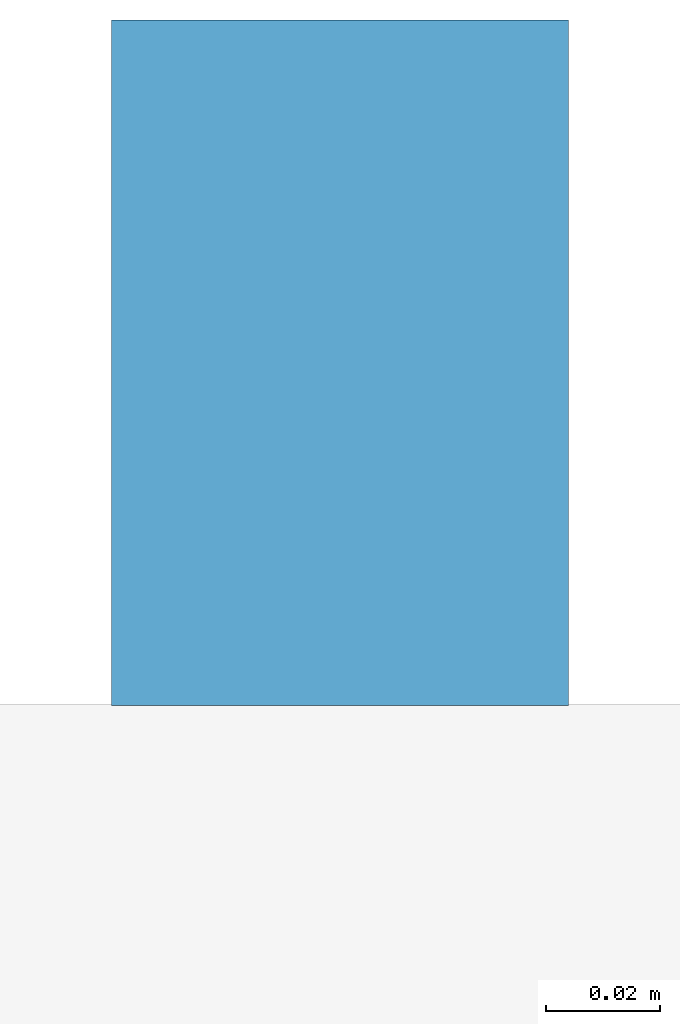
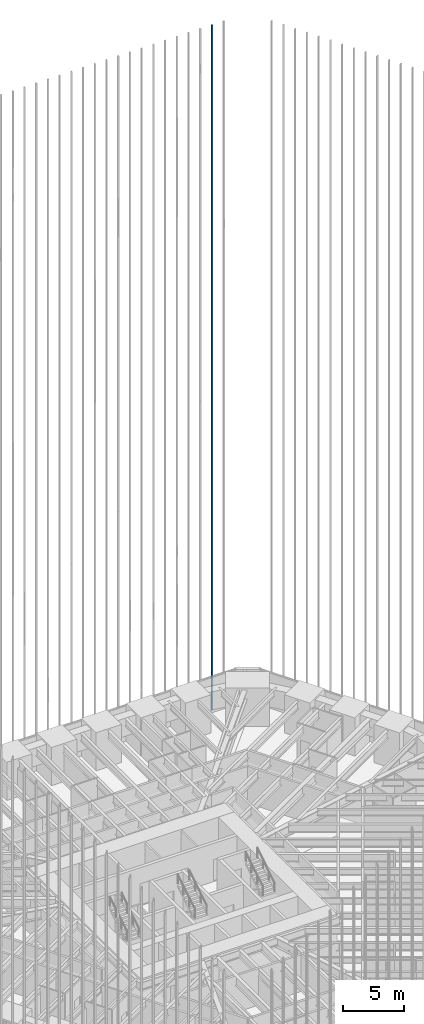
# One storey, part 245 of 256: 1 member, 1 element without a shape of its own.
"""IFC4 building model written with IfcOpenShell, lengths in metres."""

from ifc_helpers import new_model, si_unit, direction, frame, origin, origin_2d, place, context, subcontext, project, spatial, rectangle, extrude, material, material_profile, profile_set, type_object, element, aggregate, save


model = new_model("IFC4")

# Units and contexts
model_context = context("Model", 3, precision=1e-05, world=origin(), true_north=direction((0.0, 1.0)))
body_context = subcontext(model_context, "Body", "Model", "MODEL_VIEW")
ifc_project = project(units=[si_unit("LENGTHUNIT", "METRE"), si_unit("AREAUNIT", "SQUARE_METRE"), si_unit("VOLUMEUNIT", "CUBIC_METRE"), si_unit("PLANEANGLEUNIT", "RADIAN"), si_unit("MASSUNIT", "GRAM", prefix="KILO")], contexts=[model_context])

# Site, building, storey
site_placement = place(None, origin())
site = spatial("IfcSite", under=ifc_project, at=site_placement, CompositionType="ELEMENT")
building_placement = place(site_placement, origin())
building = spatial("IfcBuilding", under=site, at=building_placement, Name="Sandreach Pilgrim Tower", CompositionType="ELEMENT")
storey_placement = place(building_placement, frame((0.0, 0.0, 23.0)))
storey = spatial("IfcBuildingStorey", under=building, at=storey_placement, Name="L04", CompositionType="ELEMENT", Elevation=23.0)

# Curtain wall, member
ifc_material_1 = material(Name="Aluminium framed curtain wall", Category="aluminium")
curtain_wall_type = type_object("IfcCurtainWallType", Name="Hostel tower curtain wall", PredefinedType="NOTDEFINED", material=ifc_material_1)
curtain_wall_placement = place(storey_placement, origin())
curtain_wall = element("IfcCurtainWall", 1, at=curtain_wall_placement, inside=storey, type_object=curtain_wall_type, Name="CW-1 L04 N", PredefinedType="NOTDEFINED")
ifc_material_2 = material(Name="Extruded terracotta on aluminium core", Category="masonry")
ifc_material_profile = material_profile(ifc_material_2, rectangle(XDim=0.080078125, YDim=0.1201171875, at=origin_2d()), Name="TBN 80X120")
ifc_profile_set = profile_set([ifc_material_profile], Name="Extruded terracotta on aluminium core")
member_type = type_object("IfcMemberType", Name="Terracotta baguette north", PredefinedType="USERDEFINED", material=ifc_profile_set)
member_placement = place(storey_placement, frame((17.671142578125, 24.30859375, 0.0), z_axis=(0.0, 0.0, 1.0), x_axis=(1.0, 0.0, 0.0)))
member = element("IfcMember", 2, at=member_placement, type_object=member_type, Name="Baguette Z1 N34", ObjectType="BAGUETTE", PredefinedType="USERDEFINED", context=body_context, shape_type="SweptSolid", body=[
    extrude(rectangle(XDim=0.080078125, YDim=0.1201171875, at=origin_2d()), origin(), (0.0, 0.0, 1.0), 68.239990234375),
])
aggregate(curtain_wall, [member])

save(model, "model.ifc")
